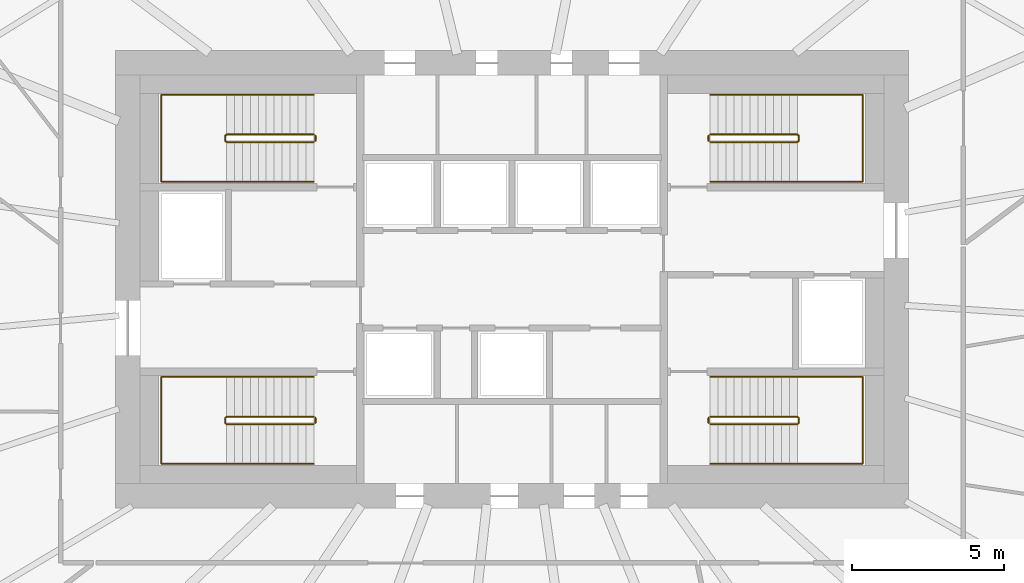
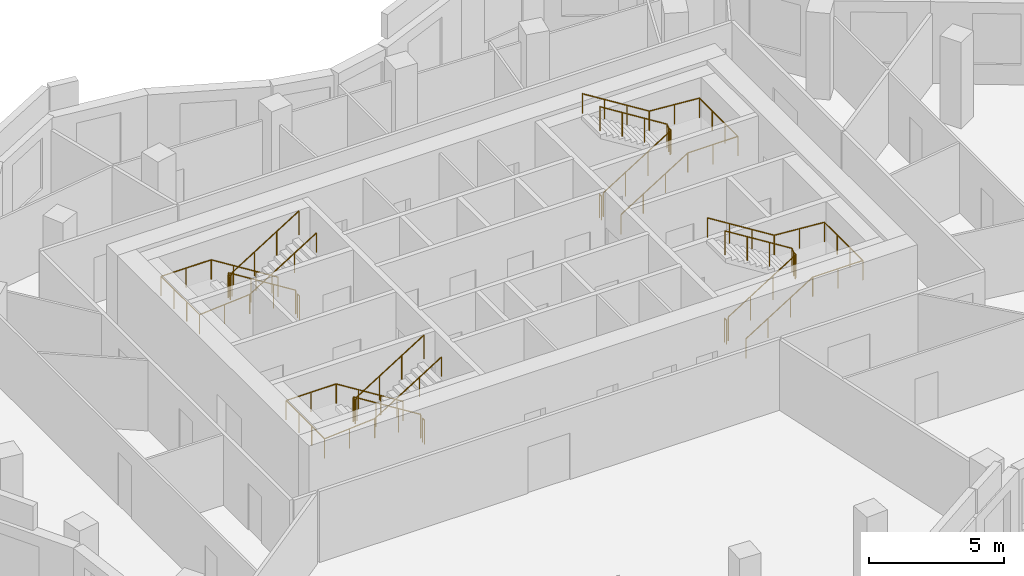
# One storey, part 9 of 9: 12 railings.
"""IFC4 building model written with IfcOpenShell, lengths in metres."""

from ifc_helpers import new_model, si_unit, direction, frame, origin, origin_2d, place, context, subcontext, project, spatial, circle, extrude, material, type_object, element, save


model = new_model("IFC4")

# Units and contexts
model_context = context("Model", 3, precision=1e-05, world=origin(), true_north=direction((0.0, 1.0)))
body_context = subcontext(model_context, "Body", "Model", "MODEL_VIEW")
ifc_project = project(units=[si_unit("LENGTHUNIT", "METRE"), si_unit("AREAUNIT", "SQUARE_METRE"), si_unit("VOLUMEUNIT", "CUBIC_METRE"), si_unit("PLANEANGLEUNIT", "RADIAN"), si_unit("MASSUNIT", "GRAM", prefix="KILO")], contexts=[model_context])

# Site, building, storey
site_placement = place(None, origin())
site = spatial("IfcSite", under=ifc_project, at=site_placement, CompositionType="ELEMENT")
building_placement = place(site_placement, origin())
building = spatial("IfcBuilding", under=site, at=building_placement, Name="Rubra Terraces Tower", CompositionType="ELEMENT")
storey_placement = place(building_placement, frame((0.0, 0.0, 268.800048828125)))
storey = spatial("IfcBuildingStorey", under=building, at=storey_placement, Name="L66", CompositionType="ELEMENT", Elevation=268.800048828125)

# Railings
ifc_material = material(Name="Stainless steel", Category="steel")
railing_type_1 = type_object("IfcRailingType", Name="Core stair guard 1100", PredefinedType="GUARDRAIL", material=ifc_material)
railing_1_placement = place(storey_placement, frame((-6.5, 0.0, 0.162353515625)))
element("IfcRailing", 1, at=railing_1_placement, inside=storey, type_object=railing_type_1, Name="L66 stair S1 guard 1", PredefinedType="GUARDRAIL", context=body_context, shape_type="SweptSolid", body=[
    extrude(circle(Radius=0.02392578125, at=origin_2d()), frame((0.0, 0.0, 1.076171875), z_axis=(-0.847994237388, 0.0, 0.530005446535), x_axis=(0.0, -1.0, 0.0)), (0.0, 0.0, 1.0), 3.372802734375),
    extrude(circle(Radius=0.02392578125, at=origin_2d()), frame((-2.860107421875, 0.0, 2.86376953125), z_axis=(-0.705375805398, -0.708833529934, 0.0), x_axis=(0.708833529934, -0.705375805398, 0.0)), (0.0, 0.0, 1.0), 0.070556640625),
    extrude(circle(Radius=0.02392578125, at=origin_2d()), frame((-2.909912109375, -0.050048828125, 2.86376953125), z_axis=(0.0, -1.0, 0.0), x_axis=(1.0, 0.0, 0.0)), (0.0, 0.0, 1.0), 0.14990234375),
    extrude(circle(Radius=0.02392578125, at=origin_2d()), frame((-2.909912109375, -0.199951171875, 2.86376953125), z_axis=(0.280959487676, -0.282336740067, 0.917250092119), x_axis=(0.708833529934, 0.705375805398, 0.0)), (0.0, 0.0, 1.0), 0.17724609375),
    extrude(circle(Radius=0.02392578125, at=origin_2d()), frame((-2.860107421875, -0.25, 3.0263671875), z_axis=(0.848026770018, 0.0, 0.529953391661), x_axis=(0.0, 1.0, 0.0)), (0.0, 0.0, 1.0), 3.37255859375),
    extrude(circle(Radius=0.02099609375, at=origin_2d()), origin(), (0.0, 0.0, 1.0), 1.052001953125),
    extrude(circle(Radius=0.02099609375, at=origin_2d()), frame((-0.953369140625, 0.0, 0.595947265625)), (0.0, 0.0, 1.0), 1.052001953125),
    extrude(circle(Radius=0.02099609375, at=origin_2d()), frame((-1.90673828125, 0.0, 1.191650390625)), (0.0, 0.0, 1.0), 1.052001953125),
    extrude(circle(Radius=0.02099609375, at=origin_2d()), frame((-2.860107421875, 0.0, 1.78759765625)), (0.0, 0.0, 1.0), 1.052001953125),
    extrude(circle(Radius=0.02099609375, at=origin_2d()), frame((-2.909912109375, -0.050048828125, 1.78759765625)), (0.0, 0.0, 1.0), 1.052001953125),
    extrude(circle(Radius=0.02099609375, at=origin_2d()), frame((-2.909912109375, -0.199951171875, 1.78759765625)), (0.0, 0.0, 1.0), 1.052001953125),
    extrude(circle(Radius=0.02099609375, at=origin_2d()), frame((-2.860107421875, -0.25, 1.9501953125)), (0.0, 0.0, 1.0), 1.052001953125),
    extrude(circle(Radius=0.02099609375, at=origin_2d()), frame((-1.90673828125, -0.25, 2.5458984375)), (0.0, 0.0, 1.0), 1.052001953125),
    extrude(circle(Radius=0.02099609375, at=origin_2d()), frame((-0.953369140625, -0.25, 3.141845703125)), (0.0, 0.0, 1.0), 1.052001953125),
    extrude(circle(Radius=0.02099609375, at=origin_2d()), frame((0.0, -0.25, 3.737548828125)), (0.0, 0.0, 1.0), 1.052001953125),
])
railing_2_placement = place(storey_placement, frame((-6.449951171875, -0.050048828125, 0.0)))
element("IfcRailing", 2, at=railing_2_placement, inside=storey, type_object=railing_type_1, Name="L66 stair S1 guard 2", PredefinedType="GUARDRAIL", context=body_context, shape_type="SweptSolid", body=[
    extrude(circle(Radius=0.02392578125, at=origin_2d()), frame((0.0, 0.0, 1.076171875), z_axis=(0.0, -1.0, 0.0), x_axis=(1.0, 0.0, 0.0)), (0.0, 0.0, 1.0), 0.14990234375),
    extrude(circle(Radius=0.02099609375, at=origin_2d()), origin(), (0.0, 0.0, 1.0), 1.052001953125),
    extrude(circle(Radius=0.02099609375, at=origin_2d()), frame((0.0, -0.14990234375, 0.0)), (0.0, 0.0, 1.0), 1.052001953125),
])
railing_3_placement = place(storey_placement, frame((-6.5, 9.25, 0.162353515625)))
element("IfcRailing", 3, at=railing_3_placement, inside=storey, type_object=railing_type_1, Name="L66 stair S2 guard 1", PredefinedType="GUARDRAIL", context=body_context, shape_type="SweptSolid", body=[
    extrude(circle(Radius=0.02392578125, at=origin_2d()), frame((0.0, 0.0, 1.076171875), z_axis=(-0.847994237388, 0.0, 0.530005446535), x_axis=(0.0, -1.0, 0.0)), (0.0, 0.0, 1.0), 3.372802734375),
    extrude(circle(Radius=0.02392578125, at=origin_2d()), frame((-2.860107421875, 0.0, 2.86376953125), z_axis=(-0.705375805398, -0.708833529934, 0.0), x_axis=(0.708833529934, -0.705375805398, 0.0)), (0.0, 0.0, 1.0), 0.070556640625),
    extrude(circle(Radius=0.02392578125, at=origin_2d()), frame((-2.909912109375, -0.050048828125, 2.86376953125), z_axis=(0.0, -1.0, 0.0), x_axis=(1.0, 0.0, 0.0)), (0.0, 0.0, 1.0), 0.14990234375),
    extrude(circle(Radius=0.02392578125, at=origin_2d()), frame((-2.909912109375, -0.199951171875, 2.86376953125), z_axis=(0.280959487676, -0.282336740067, 0.917250092119), x_axis=(0.708833529934, 0.705375805398, 0.0)), (0.0, 0.0, 1.0), 0.17724609375),
    extrude(circle(Radius=0.02392578125, at=origin_2d()), frame((-2.860107421875, -0.25, 3.0263671875), z_axis=(0.848026770018, 0.0, 0.529953391661), x_axis=(0.0, 1.0, 0.0)), (0.0, 0.0, 1.0), 3.37255859375),
    extrude(circle(Radius=0.02099609375, at=origin_2d()), origin(), (0.0, 0.0, 1.0), 1.052001953125),
    extrude(circle(Radius=0.02099609375, at=origin_2d()), frame((-0.953369140625, 0.0, 0.595947265625)), (0.0, 0.0, 1.0), 1.052001953125),
    extrude(circle(Radius=0.02099609375, at=origin_2d()), frame((-1.90673828125, 0.0, 1.191650390625)), (0.0, 0.0, 1.0), 1.052001953125),
    extrude(circle(Radius=0.02099609375, at=origin_2d()), frame((-2.860107421875, 0.0, 1.78759765625)), (0.0, 0.0, 1.0), 1.052001953125),
    extrude(circle(Radius=0.02099609375, at=origin_2d()), frame((-2.909912109375, -0.050048828125, 1.78759765625)), (0.0, 0.0, 1.0), 1.052001953125),
    extrude(circle(Radius=0.02099609375, at=origin_2d()), frame((-2.909912109375, -0.199951171875, 1.78759765625)), (0.0, 0.0, 1.0), 1.052001953125),
    extrude(circle(Radius=0.02099609375, at=origin_2d()), frame((-2.860107421875, -0.25, 1.9501953125)), (0.0, 0.0, 1.0), 1.052001953125),
    extrude(circle(Radius=0.02099609375, at=origin_2d()), frame((-1.90673828125, -0.25, 2.5458984375)), (0.0, 0.0, 1.0), 1.052001953125),
    extrude(circle(Radius=0.02099609375, at=origin_2d()), frame((-0.953369140625, -0.25, 3.141845703125)), (0.0, 0.0, 1.0), 1.052001953125),
    extrude(circle(Radius=0.02099609375, at=origin_2d()), frame((0.0, -0.25, 3.737548828125)), (0.0, 0.0, 1.0), 1.052001953125),
])
railing_4_placement = place(storey_placement, frame((-6.449951171875, 9.199951171875, 0.0)))
element("IfcRailing", 4, at=railing_4_placement, inside=storey, type_object=railing_type_1, Name="L66 stair S2 guard 2", PredefinedType="GUARDRAIL", context=body_context, shape_type="SweptSolid", body=[
    extrude(circle(Radius=0.02392578125, at=origin_2d()), frame((0.0, 0.0, 1.076171875), z_axis=(0.0, -1.0, 0.0), x_axis=(1.0, 0.0, 0.0)), (0.0, 0.0, 1.0), 0.14990234375),
    extrude(circle(Radius=0.02099609375, at=origin_2d()), origin(), (0.0, 0.0, 1.0), 1.052001953125),
    extrude(circle(Radius=0.02099609375, at=origin_2d()), frame((0.0, -0.14990234375, 0.0)), (0.0, 0.0, 1.0), 1.052001953125),
])
railing_5_placement = place(storey_placement, frame((6.5, 9.0, 0.162353515625)))
element("IfcRailing", 5, at=railing_5_placement, inside=storey, type_object=railing_type_1, Name="L66 stair S3 guard 1", PredefinedType="GUARDRAIL", context=body_context, shape_type="SweptSolid", body=[
    extrude(circle(Radius=0.02392578125, at=origin_2d()), frame((0.0, 0.0, 1.076171875), z_axis=(0.847994237388, 0.0, 0.530005446535), x_axis=(0.0, 1.0, 0.0)), (0.0, 0.0, 1.0), 3.372802734375),
    extrude(circle(Radius=0.02392578125, at=origin_2d()), frame((2.860107421875, 0.0, 2.86376953125), z_axis=(0.705375805398, 0.708833529934, 0.0), x_axis=(-0.708833529934, 0.705375805398, 0.0)), (0.0, 0.0, 1.0), 0.070556640625),
    extrude(circle(Radius=0.02392578125, at=origin_2d()), frame((2.909912109375, 0.050048828125, 2.86376953125), z_axis=(0.0, 1.0, 0.0), x_axis=(-1.0, 0.0, 0.0)), (0.0, 0.0, 1.0), 0.14990234375),
    extrude(circle(Radius=0.02392578125, at=origin_2d()), frame((2.909912109375, 0.199951171875, 2.86376953125), z_axis=(-0.280959487676, 0.282336740067, 0.917250092119), x_axis=(-0.708833529934, -0.705375805398, 0.0)), (0.0, 0.0, 1.0), 0.17724609375),
    extrude(circle(Radius=0.02392578125, at=origin_2d()), frame((2.860107421875, 0.25, 3.0263671875), z_axis=(-0.848026770018, 0.0, 0.529953391661), x_axis=(0.0, -1.0, 0.0)), (0.0, 0.0, 1.0), 3.37255859375),
    extrude(circle(Radius=0.02099609375, at=origin_2d()), origin(), (0.0, 0.0, 1.0), 1.052001953125),
    extrude(circle(Radius=0.02099609375, at=origin_2d()), frame((0.953369140625, 0.0, 0.595947265625)), (0.0, 0.0, 1.0), 1.052001953125),
    extrude(circle(Radius=0.02099609375, at=origin_2d()), frame((1.90673828125, 0.0, 1.191650390625)), (0.0, 0.0, 1.0), 1.052001953125),
    extrude(circle(Radius=0.02099609375, at=origin_2d()), frame((2.860107421875, 0.0, 1.78759765625)), (0.0, 0.0, 1.0), 1.052001953125),
    extrude(circle(Radius=0.02099609375, at=origin_2d()), frame((2.909912109375, 0.050048828125, 1.78759765625)), (0.0, 0.0, 1.0), 1.052001953125),
    extrude(circle(Radius=0.02099609375, at=origin_2d()), frame((2.909912109375, 0.199951171875, 1.78759765625)), (0.0, 0.0, 1.0), 1.052001953125),
    extrude(circle(Radius=0.02099609375, at=origin_2d()), frame((2.860107421875, 0.25, 1.9501953125)), (0.0, 0.0, 1.0), 1.052001953125),
    extrude(circle(Radius=0.02099609375, at=origin_2d()), frame((1.90673828125, 0.25, 2.5458984375)), (0.0, 0.0, 1.0), 1.052001953125),
    extrude(circle(Radius=0.02099609375, at=origin_2d()), frame((0.953369140625, 0.25, 3.141845703125)), (0.0, 0.0, 1.0), 1.052001953125),
    extrude(circle(Radius=0.02099609375, at=origin_2d()), frame((0.0, 0.25, 3.737548828125)), (0.0, 0.0, 1.0), 1.052001953125),
])
railing_6_placement = place(storey_placement, frame((6.449951171875, 9.050048828125, 0.0)))
element("IfcRailing", 6, at=railing_6_placement, inside=storey, type_object=railing_type_1, Name="L66 stair S3 guard 2", PredefinedType="GUARDRAIL", context=body_context, shape_type="SweptSolid", body=[
    extrude(circle(Radius=0.02392578125, at=origin_2d()), frame((0.0, 0.0, 1.076171875), z_axis=(0.0, 1.0, 0.0), x_axis=(-1.0, 0.0, 0.0)), (0.0, 0.0, 1.0), 0.14990234375),
    extrude(circle(Radius=0.02099609375, at=origin_2d()), origin(), (0.0, 0.0, 1.0), 1.052001953125),
    extrude(circle(Radius=0.02099609375, at=origin_2d()), frame((0.0, 0.14990234375, 0.0)), (0.0, 0.0, 1.0), 1.052001953125),
])
railing_7_placement = place(storey_placement, frame((6.5, -0.25, 0.162353515625)))
element("IfcRailing", 7, at=railing_7_placement, inside=storey, type_object=railing_type_1, Name="L66 stair S4 guard 1", PredefinedType="GUARDRAIL", context=body_context, shape_type="SweptSolid", body=[
    extrude(circle(Radius=0.02392578125, at=origin_2d()), frame((0.0, 0.0, 1.076171875), z_axis=(0.847994237388, 0.0, 0.530005446535), x_axis=(0.0, 1.0, 0.0)), (0.0, 0.0, 1.0), 3.372802734375),
    extrude(circle(Radius=0.02392578125, at=origin_2d()), frame((2.860107421875, 0.0, 2.86376953125), z_axis=(0.705375805398, 0.708833529934, 0.0), x_axis=(-0.708833529934, 0.705375805398, 0.0)), (0.0, 0.0, 1.0), 0.070556640625),
    extrude(circle(Radius=0.02392578125, at=origin_2d()), frame((2.909912109375, 0.050048828125, 2.86376953125), z_axis=(0.0, 1.0, 0.0), x_axis=(-1.0, 0.0, 0.0)), (0.0, 0.0, 1.0), 0.14990234375),
    extrude(circle(Radius=0.02392578125, at=origin_2d()), frame((2.909912109375, 0.199951171875, 2.86376953125), z_axis=(-0.280959487676, 0.282336740067, 0.917250092119), x_axis=(-0.708833529934, -0.705375805398, 0.0)), (0.0, 0.0, 1.0), 0.17724609375),
    extrude(circle(Radius=0.02392578125, at=origin_2d()), frame((2.860107421875, 0.25, 3.0263671875), z_axis=(-0.848026770018, 0.0, 0.529953391661), x_axis=(0.0, -1.0, 0.0)), (0.0, 0.0, 1.0), 3.37255859375),
    extrude(circle(Radius=0.02099609375, at=origin_2d()), origin(), (0.0, 0.0, 1.0), 1.052001953125),
    extrude(circle(Radius=0.02099609375, at=origin_2d()), frame((0.953369140625, 0.0, 0.595947265625)), (0.0, 0.0, 1.0), 1.052001953125),
    extrude(circle(Radius=0.02099609375, at=origin_2d()), frame((1.90673828125, 0.0, 1.191650390625)), (0.0, 0.0, 1.0), 1.052001953125),
    extrude(circle(Radius=0.02099609375, at=origin_2d()), frame((2.860107421875, 0.0, 1.78759765625)), (0.0, 0.0, 1.0), 1.052001953125),
    extrude(circle(Radius=0.02099609375, at=origin_2d()), frame((2.909912109375, 0.050048828125, 1.78759765625)), (0.0, 0.0, 1.0), 1.052001953125),
    extrude(circle(Radius=0.02099609375, at=origin_2d()), frame((2.909912109375, 0.199951171875, 1.78759765625)), (0.0, 0.0, 1.0), 1.052001953125),
    extrude(circle(Radius=0.02099609375, at=origin_2d()), frame((2.860107421875, 0.25, 1.9501953125)), (0.0, 0.0, 1.0), 1.052001953125),
    extrude(circle(Radius=0.02099609375, at=origin_2d()), frame((1.90673828125, 0.25, 2.5458984375)), (0.0, 0.0, 1.0), 1.052001953125),
    extrude(circle(Radius=0.02099609375, at=origin_2d()), frame((0.953369140625, 0.25, 3.141845703125)), (0.0, 0.0, 1.0), 1.052001953125),
    extrude(circle(Radius=0.02099609375, at=origin_2d()), frame((0.0, 0.25, 3.737548828125)), (0.0, 0.0, 1.0), 1.052001953125),
])
railing_8_placement = place(storey_placement, frame((6.449951171875, -0.199951171875, 0.0)))
element("IfcRailing", 8, at=railing_8_placement, inside=storey, type_object=railing_type_1, Name="L66 stair S4 guard 2", PredefinedType="GUARDRAIL", context=body_context, shape_type="SweptSolid", body=[
    extrude(circle(Radius=0.02392578125, at=origin_2d()), frame((0.0, 0.0, 1.076171875), z_axis=(0.0, 1.0, 0.0), x_axis=(-1.0, 0.0, 0.0)), (0.0, 0.0, 1.0), 0.14990234375),
    extrude(circle(Radius=0.02099609375, at=origin_2d()), origin(), (0.0, 0.0, 1.0), 1.052001953125),
    extrude(circle(Radius=0.02099609375, at=origin_2d()), frame((0.0, 0.14990234375, 0.0)), (0.0, 0.0, 1.0), 1.052001953125),
])
railing_type_2 = type_object("IfcRailingType", Name="Core stair handrail 900", PredefinedType="HANDRAIL", material=ifc_material)
railing_9_placement = place(storey_placement, frame((-6.5, 1.300048828125, 0.162353515625)))
element("IfcRailing", 9, at=railing_9_placement, inside=storey, type_object=railing_type_2, Name="L66 stair S1 handrail 1", PredefinedType="HANDRAIL", context=body_context, shape_type="SweptSolid", body=[
    extrude(circle(Radius=0.02392578125, at=origin_2d()), frame((0.0, 0.0, 0.8759765625), z_axis=(-0.847994237388, 0.0, 0.530005446535), x_axis=(0.0, -1.0, 0.0)), (0.0, 0.0, 1.0), 3.372802734375),
    extrude(circle(Radius=0.02392578125, at=origin_2d()), frame((-2.860107421875, 0.0, 2.66357421875), z_axis=(-1.0, 0.0, 0.0), x_axis=(0.0, -1.0, 0.0)), (0.0, 0.0, 1.0), 2.139892578125),
    extrude(circle(Radius=0.02392578125, at=origin_2d()), frame((-5.0, 0.0, 2.66357421875), z_axis=(0.0, -1.0, 0.0), x_axis=(1.0, 0.0, 0.0)), (0.0, 0.0, 1.0), 2.85009765625),
    extrude(circle(Radius=0.02392578125, at=origin_2d()), frame((-5.0, -2.85009765625, 2.66357421875), z_axis=(0.997125654253, 0.0, 0.075765623016), x_axis=(0.0, 1.0, 0.0)), (0.0, 0.0, 1.0), 2.14599609375),
    extrude(circle(Radius=0.02392578125, at=origin_2d()), frame((-2.860107421875, -2.85009765625, 2.826171875), z_axis=(0.848026770018, 0.0, 0.529953391661), x_axis=(0.0, 1.0, 0.0)), (0.0, 0.0, 1.0), 3.37255859375),
    extrude(circle(Radius=0.02099609375, at=origin_2d()), origin(), (0.0, 0.0, 1.0), 0.851806640625),
    extrude(circle(Radius=0.02099609375, at=origin_2d()), frame((-0.953369140625, 0.0, 0.595947265625)), (0.0, 0.0, 1.0), 0.851806640625),
    extrude(circle(Radius=0.02099609375, at=origin_2d()), frame((-1.90673828125, 0.0, 1.191650390625)), (0.0, 0.0, 1.0), 0.851806640625),
    extrude(circle(Radius=0.02099609375, at=origin_2d()), frame((-2.860107421875, 0.0, 1.78759765625)), (0.0, 0.0, 1.0), 0.851806640625),
    extrude(circle(Radius=0.02099609375, at=origin_2d()), frame((-3.93017578125, 0.0, 1.78759765625)), (0.0, 0.0, 1.0), 0.851806640625),
    extrude(circle(Radius=0.02099609375, at=origin_2d()), frame((-5.0, 0.0, 1.78759765625)), (0.0, 0.0, 1.0), 0.851806640625),
    extrude(circle(Radius=0.02099609375, at=origin_2d()), frame((-5.0, -0.949951171875, 1.78759765625)), (0.0, 0.0, 1.0), 0.851806640625),
    extrude(circle(Radius=0.02099609375, at=origin_2d()), frame((-5.0, -1.900146484375, 1.78759765625)), (0.0, 0.0, 1.0), 0.851806640625),
    extrude(circle(Radius=0.02099609375, at=origin_2d()), frame((-5.0, -2.85009765625, 1.78759765625)), (0.0, 0.0, 1.0), 0.851806640625),
    extrude(circle(Radius=0.02099609375, at=origin_2d()), frame((-3.93017578125, -2.85009765625, 1.868896484375)), (0.0, 0.0, 1.0), 0.851806640625),
    extrude(circle(Radius=0.02099609375, at=origin_2d()), frame((-2.860107421875, -2.85009765625, 1.9501953125)), (0.0, 0.0, 1.0), 0.851806640625),
    extrude(circle(Radius=0.02099609375, at=origin_2d()), frame((-1.90673828125, -2.85009765625, 2.5458984375)), (0.0, 0.0, 1.0), 0.851806640625),
    extrude(circle(Radius=0.02099609375, at=origin_2d()), frame((-0.953369140625, -2.85009765625, 3.141845703125)), (0.0, 0.0, 1.0), 0.851806640625),
    extrude(circle(Radius=0.02099609375, at=origin_2d()), frame((0.0, -2.85009765625, 3.737548828125)), (0.0, 0.0, 1.0), 0.851806640625),
])
railing_10_placement = place(storey_placement, frame((-6.5, 10.550048828125, 0.162353515625)))
element("IfcRailing", 10, at=railing_10_placement, inside=storey, type_object=railing_type_2, Name="L66 stair S2 handrail 1", PredefinedType="HANDRAIL", context=body_context, shape_type="SweptSolid", body=[
    extrude(circle(Radius=0.02392578125, at=origin_2d()), frame((0.0, 0.0, 0.8759765625), z_axis=(-0.847994237388, 0.0, 0.530005446535), x_axis=(0.0, -1.0, 0.0)), (0.0, 0.0, 1.0), 3.372802734375),
    extrude(circle(Radius=0.02392578125, at=origin_2d()), frame((-2.860107421875, 0.0, 2.66357421875), z_axis=(-1.0, 0.0, 0.0), x_axis=(0.0, -1.0, 0.0)), (0.0, 0.0, 1.0), 2.139892578125),
    extrude(circle(Radius=0.02392578125, at=origin_2d()), frame((-5.0, 0.0, 2.66357421875), z_axis=(0.0, -1.0, 0.0), x_axis=(1.0, 0.0, 0.0)), (0.0, 0.0, 1.0), 2.85009765625),
    extrude(circle(Radius=0.02392578125, at=origin_2d()), frame((-5.0, -2.85009765625, 2.66357421875), z_axis=(0.997125654253, 0.0, 0.075765623016), x_axis=(0.0, 1.0, 0.0)), (0.0, 0.0, 1.0), 2.14599609375),
    extrude(circle(Radius=0.02392578125, at=origin_2d()), frame((-2.860107421875, -2.85009765625, 2.826171875), z_axis=(0.848026770018, 0.0, 0.529953391661), x_axis=(0.0, 1.0, 0.0)), (0.0, 0.0, 1.0), 3.37255859375),
    extrude(circle(Radius=0.02099609375, at=origin_2d()), origin(), (0.0, 0.0, 1.0), 0.851806640625),
    extrude(circle(Radius=0.02099609375, at=origin_2d()), frame((-0.953369140625, 0.0, 0.595947265625)), (0.0, 0.0, 1.0), 0.851806640625),
    extrude(circle(Radius=0.02099609375, at=origin_2d()), frame((-1.90673828125, 0.0, 1.191650390625)), (0.0, 0.0, 1.0), 0.851806640625),
    extrude(circle(Radius=0.02099609375, at=origin_2d()), frame((-2.860107421875, 0.0, 1.78759765625)), (0.0, 0.0, 1.0), 0.851806640625),
    extrude(circle(Radius=0.02099609375, at=origin_2d()), frame((-3.93017578125, 0.0, 1.78759765625)), (0.0, 0.0, 1.0), 0.851806640625),
    extrude(circle(Radius=0.02099609375, at=origin_2d()), frame((-5.0, 0.0, 1.78759765625)), (0.0, 0.0, 1.0), 0.851806640625),
    extrude(circle(Radius=0.02099609375, at=origin_2d()), frame((-5.0, -0.949951171875, 1.78759765625)), (0.0, 0.0, 1.0), 0.851806640625),
    extrude(circle(Radius=0.02099609375, at=origin_2d()), frame((-5.0, -1.900146484375, 1.78759765625)), (0.0, 0.0, 1.0), 0.851806640625),
    extrude(circle(Radius=0.02099609375, at=origin_2d()), frame((-5.0, -2.85009765625, 1.78759765625)), (0.0, 0.0, 1.0), 0.851806640625),
    extrude(circle(Radius=0.02099609375, at=origin_2d()), frame((-3.93017578125, -2.85009765625, 1.868896484375)), (0.0, 0.0, 1.0), 0.851806640625),
    extrude(circle(Radius=0.02099609375, at=origin_2d()), frame((-2.860107421875, -2.85009765625, 1.9501953125)), (0.0, 0.0, 1.0), 0.851806640625),
    extrude(circle(Radius=0.02099609375, at=origin_2d()), frame((-1.90673828125, -2.85009765625, 2.5458984375)), (0.0, 0.0, 1.0), 0.851806640625),
    extrude(circle(Radius=0.02099609375, at=origin_2d()), frame((-0.953369140625, -2.85009765625, 3.141845703125)), (0.0, 0.0, 1.0), 0.851806640625),
    extrude(circle(Radius=0.02099609375, at=origin_2d()), frame((0.0, -2.85009765625, 3.737548828125)), (0.0, 0.0, 1.0), 0.851806640625),
])
railing_11_placement = place(storey_placement, frame((6.5, 7.699951171875, 0.162353515625)))
element("IfcRailing", 11, at=railing_11_placement, inside=storey, type_object=railing_type_2, Name="L66 stair S3 handrail 1", PredefinedType="HANDRAIL", context=body_context, shape_type="SweptSolid", body=[
    extrude(circle(Radius=0.02392578125, at=origin_2d()), frame((0.0, 0.0, 0.8759765625), z_axis=(0.847994237388, 0.0, 0.530005446535), x_axis=(0.0, 1.0, 0.0)), (0.0, 0.0, 1.0), 3.372802734375),
    extrude(circle(Radius=0.02392578125, at=origin_2d()), frame((2.860107421875, 0.0, 2.66357421875), z_axis=(1.0, 0.0, 0.0), x_axis=(0.0, 1.0, 0.0)), (0.0, 0.0, 1.0), 2.139892578125),
    extrude(circle(Radius=0.02392578125, at=origin_2d()), frame((5.0, 0.0, 2.66357421875), z_axis=(0.0, 1.0, 0.0), x_axis=(-1.0, 0.0, 0.0)), (0.0, 0.0, 1.0), 2.85009765625),
    extrude(circle(Radius=0.02392578125, at=origin_2d()), frame((5.0, 2.85009765625, 2.66357421875), z_axis=(-0.997125654253, 0.0, 0.075765623016), x_axis=(0.0, -1.0, 0.0)), (0.0, 0.0, 1.0), 2.14599609375),
    extrude(circle(Radius=0.02392578125, at=origin_2d()), frame((2.860107421875, 2.85009765625, 2.826171875), z_axis=(-0.848026770018, 0.0, 0.529953391661), x_axis=(0.0, -1.0, 0.0)), (0.0, 0.0, 1.0), 3.37255859375),
    extrude(circle(Radius=0.02099609375, at=origin_2d()), origin(), (0.0, 0.0, 1.0), 0.851806640625),
    extrude(circle(Radius=0.02099609375, at=origin_2d()), frame((0.953369140625, 0.0, 0.595947265625)), (0.0, 0.0, 1.0), 0.851806640625),
    extrude(circle(Radius=0.02099609375, at=origin_2d()), frame((1.90673828125, 0.0, 1.191650390625)), (0.0, 0.0, 1.0), 0.851806640625),
    extrude(circle(Radius=0.02099609375, at=origin_2d()), frame((2.860107421875, 0.0, 1.78759765625)), (0.0, 0.0, 1.0), 0.851806640625),
    extrude(circle(Radius=0.02099609375, at=origin_2d()), frame((3.93017578125, 0.0, 1.78759765625)), (0.0, 0.0, 1.0), 0.851806640625),
    extrude(circle(Radius=0.02099609375, at=origin_2d()), frame((5.0, 0.0, 1.78759765625)), (0.0, 0.0, 1.0), 0.851806640625),
    extrude(circle(Radius=0.02099609375, at=origin_2d()), frame((5.0, 0.949951171875, 1.78759765625)), (0.0, 0.0, 1.0), 0.851806640625),
    extrude(circle(Radius=0.02099609375, at=origin_2d()), frame((5.0, 1.900146484375, 1.78759765625)), (0.0, 0.0, 1.0), 0.851806640625),
    extrude(circle(Radius=0.02099609375, at=origin_2d()), frame((5.0, 2.85009765625, 1.78759765625)), (0.0, 0.0, 1.0), 0.851806640625),
    extrude(circle(Radius=0.02099609375, at=origin_2d()), frame((3.93017578125, 2.85009765625, 1.868896484375)), (0.0, 0.0, 1.0), 0.851806640625),
    extrude(circle(Radius=0.02099609375, at=origin_2d()), frame((2.860107421875, 2.85009765625, 1.9501953125)), (0.0, 0.0, 1.0), 0.851806640625),
    extrude(circle(Radius=0.02099609375, at=origin_2d()), frame((1.90673828125, 2.85009765625, 2.5458984375)), (0.0, 0.0, 1.0), 0.851806640625),
    extrude(circle(Radius=0.02099609375, at=origin_2d()), frame((0.953369140625, 2.85009765625, 3.141845703125)), (0.0, 0.0, 1.0), 0.851806640625),
    extrude(circle(Radius=0.02099609375, at=origin_2d()), frame((0.0, 2.85009765625, 3.737548828125)), (0.0, 0.0, 1.0), 0.851806640625),
])
railing_12_placement = place(storey_placement, frame((6.5, -1.550048828125, 0.162353515625)))
element("IfcRailing", 12, at=railing_12_placement, inside=storey, type_object=railing_type_2, Name="L66 stair S4 handrail 1", PredefinedType="HANDRAIL", context=body_context, shape_type="SweptSolid", body=[
    extrude(circle(Radius=0.02392578125, at=origin_2d()), frame((0.0, 0.0, 0.8759765625), z_axis=(0.847994237388, 0.0, 0.530005446535), x_axis=(0.0, 1.0, 0.0)), (0.0, 0.0, 1.0), 3.372802734375),
    extrude(circle(Radius=0.02392578125, at=origin_2d()), frame((2.860107421875, 0.0, 2.66357421875), z_axis=(1.0, 0.0, 0.0), x_axis=(0.0, 1.0, 0.0)), (0.0, 0.0, 1.0), 2.139892578125),
    extrude(circle(Radius=0.02392578125, at=origin_2d()), frame((5.0, 0.0, 2.66357421875), z_axis=(0.0, 1.0, 0.0), x_axis=(-1.0, 0.0, 0.0)), (0.0, 0.0, 1.0), 2.85009765625),
    extrude(circle(Radius=0.02392578125, at=origin_2d()), frame((5.0, 2.85009765625, 2.66357421875), z_axis=(-0.997125654253, 0.0, 0.075765623016), x_axis=(0.0, -1.0, 0.0)), (0.0, 0.0, 1.0), 2.14599609375),
    extrude(circle(Radius=0.02392578125, at=origin_2d()), frame((2.860107421875, 2.85009765625, 2.826171875), z_axis=(-0.848026770018, 0.0, 0.529953391661), x_axis=(0.0, -1.0, 0.0)), (0.0, 0.0, 1.0), 3.37255859375),
    extrude(circle(Radius=0.02099609375, at=origin_2d()), origin(), (0.0, 0.0, 1.0), 0.851806640625),
    extrude(circle(Radius=0.02099609375, at=origin_2d()), frame((0.953369140625, 0.0, 0.595947265625)), (0.0, 0.0, 1.0), 0.851806640625),
    extrude(circle(Radius=0.02099609375, at=origin_2d()), frame((1.90673828125, 0.0, 1.191650390625)), (0.0, 0.0, 1.0), 0.851806640625),
    extrude(circle(Radius=0.02099609375, at=origin_2d()), frame((2.860107421875, 0.0, 1.78759765625)), (0.0, 0.0, 1.0), 0.851806640625),
    extrude(circle(Radius=0.02099609375, at=origin_2d()), frame((3.93017578125, 0.0, 1.78759765625)), (0.0, 0.0, 1.0), 0.851806640625),
    extrude(circle(Radius=0.02099609375, at=origin_2d()), frame((5.0, 0.0, 1.78759765625)), (0.0, 0.0, 1.0), 0.851806640625),
    extrude(circle(Radius=0.02099609375, at=origin_2d()), frame((5.0, 0.949951171875, 1.78759765625)), (0.0, 0.0, 1.0), 0.851806640625),
    extrude(circle(Radius=0.02099609375, at=origin_2d()), frame((5.0, 1.900146484375, 1.78759765625)), (0.0, 0.0, 1.0), 0.851806640625),
    extrude(circle(Radius=0.02099609375, at=origin_2d()), frame((5.0, 2.85009765625, 1.78759765625)), (0.0, 0.0, 1.0), 0.851806640625),
    extrude(circle(Radius=0.02099609375, at=origin_2d()), frame((3.93017578125, 2.85009765625, 1.868896484375)), (0.0, 0.0, 1.0), 0.851806640625),
    extrude(circle(Radius=0.02099609375, at=origin_2d()), frame((2.860107421875, 2.85009765625, 1.9501953125)), (0.0, 0.0, 1.0), 0.851806640625),
    extrude(circle(Radius=0.02099609375, at=origin_2d()), frame((1.90673828125, 2.85009765625, 2.5458984375)), (0.0, 0.0, 1.0), 0.851806640625),
    extrude(circle(Radius=0.02099609375, at=origin_2d()), frame((0.953369140625, 2.85009765625, 3.141845703125)), (0.0, 0.0, 1.0), 0.851806640625),
    extrude(circle(Radius=0.02099609375, at=origin_2d()), frame((0.0, 2.85009765625, 3.737548828125)), (0.0, 0.0, 1.0), 0.851806640625),
])

save(model, "model.ifc")
